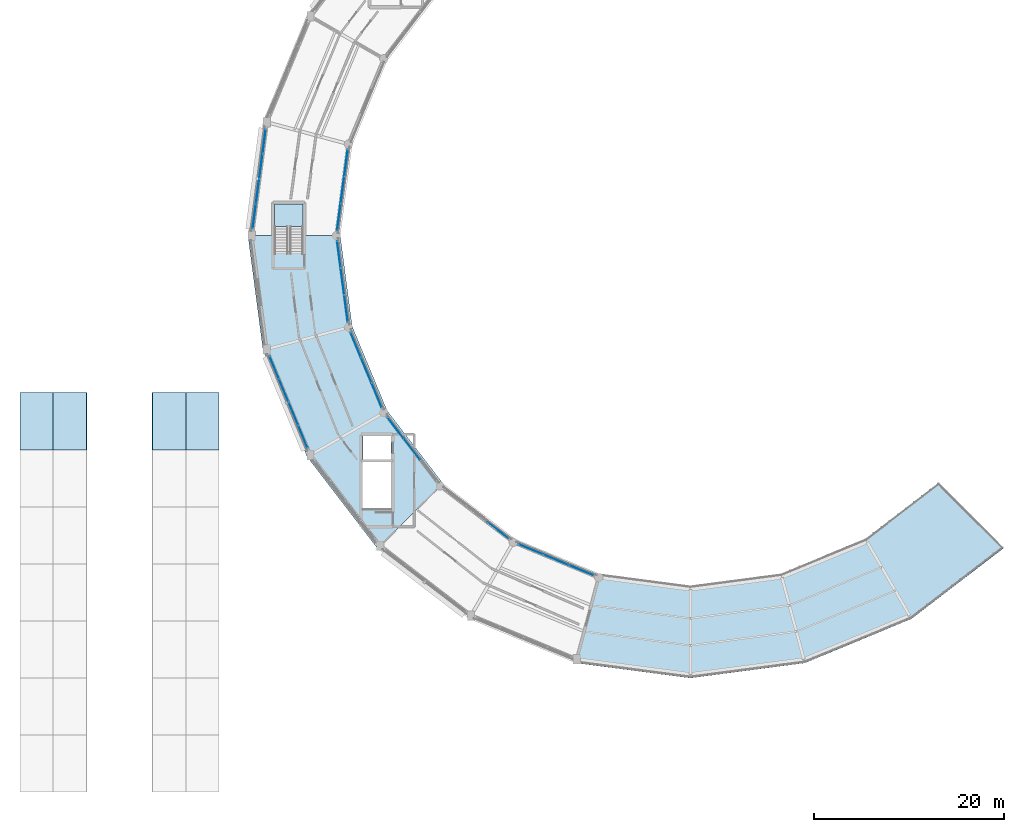
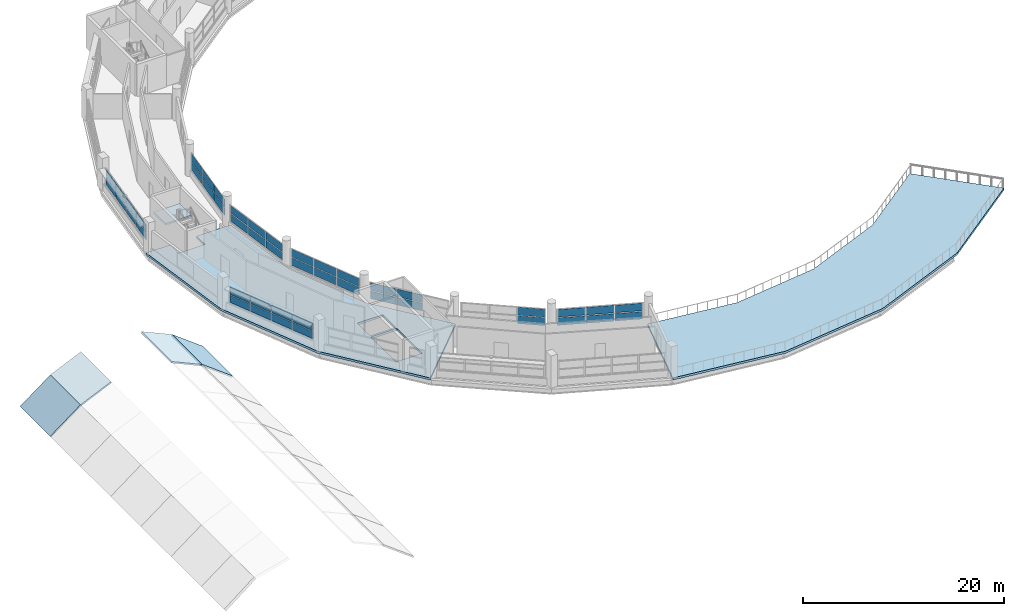
"""IFC4 building model written with IfcOpenShell, lengths in metres."""

import ifcopenshell
import ifcopenshell.guid

model = None  # the IFC model being written
_history = None  # IfcOwnerHistory: only IFC2X3 demands one
_inside = {}  # id of a spatial element -> (the spatial element, [elements in it])
_under = {}  # id of a project, library or spatial element -> (it, [spatial elements below it])
_declared = {}  # id of a project -> (the project, [libraries it declares])
_typed = {}  # id of a type object -> (the type object, [elements of that type])
_made_of = {}  # id of a material, layer set ... -> (it, [elements and type objects made of it])


def new_model(schema):
    """Start an empty IFC model of exactly this schema.

    Asked for "IFC4X3", IfcOpenShell would pick the latest addendum, in which some entities
    have other attributes; the version numbers below select the first issue.
    IFC2X3 requires an IfcOwnerHistory on every rooted entity: one is made here for all.
    """
    global model, _history
    if schema == "IFC4X3":
        model = ifcopenshell.file(schema_version=(4, 3, 0, 0))
    else:
        model = ifcopenshell.file(schema=schema)
    _inside.clear()
    _under.clear()
    _declared.clear()
    _typed.clear()
    _made_of.clear()
    _history = None
    if model.schema == "IFC2X3":
        org = make("IfcOrganization", Name="unknown")
        user = make(
            "IfcPersonAndOrganization",
            ThePerson=make("IfcPerson", FamilyName="unknown"),
            TheOrganization=org,
        )
        app = make(
            "IfcApplication",
            ApplicationDeveloper=org,
            Version="unknown",
            ApplicationFullName="unknown",
            ApplicationIdentifier="unknown",
        )
        _history = make(
            "IfcOwnerHistory",
            OwningUser=user,
            OwningApplication=app,
            ChangeAction="ADDED",
            CreationDate=0,
        )
    return model


def make(cls, **values):
    """One entity of the class cls with the attributes given. An attribute that is None is left unset."""
    return model.create_entity(
        cls, **{name: value for name, value in values.items() if value is not None}
    )


def rooted(cls, **values):
    """An entity with a GlobalId (a new one), such as an element, a storey or a relation."""
    return make(cls, GlobalId=ifcopenshell.guid.new(), OwnerHistory=_history, **values)


def si_unit(unit_type, name, prefix=None):
    """IfcSIUnit, for example si_unit("LENGTHUNIT", "METRE", prefix="MILLI")."""
    return make("IfcSIUnit", UnitType=unit_type, Prefix=prefix, Name=name)


def assignment(units):
    """IfcUnitAssignment: the units of a project."""
    return None if units is None else make("IfcUnitAssignment", Units=units)


def point(xyz):
    """IfcCartesianPoint."""
    return None if xyz is None else make("IfcCartesianPoint", Coordinates=xyz)


def direction(xyz):
    """IfcDirection."""
    return None if xyz is None else make("IfcDirection", DirectionRatios=xyz)


def frame(location, z_axis=None, x_axis=None):
    """IfcAxis2Placement3D, a coordinate frame: its origin and axes. An axis left out is left unset."""
    return make(
        "IfcAxis2Placement3D",
        Location=point(location),
        Axis=direction(z_axis),
        RefDirection=direction(x_axis),
    )


def frame_2d(location, x_axis=None):
    """IfcAxis2Placement2D, a coordinate frame in the plane: its origin and x axis."""
    return make(
        "IfcAxis2Placement2D", Location=point(location), RefDirection=direction(x_axis)
    )


def origin():
    """The frame at (0, 0, 0) with its axes left unset."""
    return frame((0.0, 0.0, 0.0))


def origin_2d():
    """The frame at (0, 0) in the plane with its x axis left unset."""
    return frame_2d((0.0, 0.0))


def place(relative_to, where):
    """IfcLocalPlacement: puts the frame where relative to a parent placement (None: the world)."""
    return make(
        "IfcLocalPlacement", PlacementRelTo=relative_to, RelativePlacement=where
    )


def context(
    kind, dimensions, precision=None, world=None, true_north=None, identifier=None
):
    """IfcGeometricRepresentationContext, for example the 3D "Model" context."""
    return make(
        "IfcGeometricRepresentationContext",
        ContextIdentifier=identifier,
        ContextType=kind,
        CoordinateSpaceDimension=dimensions,
        Precision=precision,
        WorldCoordinateSystem=world,
        TrueNorth=true_north,
    )


def subcontext(parent, identifier, kind, view, scale=None):
    """IfcGeometricRepresentationSubContext, for example "Body" below "Model"."""
    return make(
        "IfcGeometricRepresentationSubContext",
        ContextIdentifier=identifier,
        ContextType=kind,
        ParentContext=parent,
        TargetScale=scale,
        TargetView=view,
    )


def project(units=None, contexts=None):
    """IfcProject with its units and contexts."""
    return rooted(
        "IfcProject",
        Name="project",
        RepresentationContexts=contexts,
        UnitsInContext=assignment(units),
    )


def spatial(cls, under=None, at=None, **own):
    """A site, building, storey or space (cls), placed at a placement, below another one or the project."""
    s = rooted(cls, ObjectPlacement=at, **own)
    if under is not None:
        _under.setdefault(under.id(), (under, []))[1].append(s)
    return s


def polyline(points):
    """IfcPolyline through the points."""
    return make("IfcPolyline", Points=[point(p) for p in points])


def profile(cls, at=None, kind="AREA", **sizes):
    """A parametric profile (cls). Its sizes go by their IFC names, for example OverallWidth=200.0."""
    return make(cls, ProfileType=kind, Position=at, **sizes)


def rectangle(**sizes):
    """IfcRectangleProfileDef."""
    return profile("IfcRectangleProfileDef", **sizes)


def outline(outer, holes=None, kind="AREA"):
    """IfcArbitraryClosedProfileDef: a profile drawn as a closed curve; with holes, ...WithVoids."""
    if holes is None:
        return make("IfcArbitraryClosedProfileDef", ProfileType=kind, OuterCurve=outer)
    return make(
        "IfcArbitraryProfileDefWithVoids",
        ProfileType=kind,
        OuterCurve=outer,
        InnerCurves=holes,
    )


def extrude(swept, where, along, depth):
    """IfcExtrudedAreaSolid: the profile swept, set in the frame where, extruded along a direction by depth."""
    return make(
        "IfcExtrudedAreaSolid",
        SweptArea=swept,
        Position=where,
        ExtrudedDirection=direction(along),
        Depth=depth,
    )


def shape(context_of_items, identifier, shape_type, items):
    """IfcShapeRepresentation: the items that make up one representation, for example the "Body"."""
    return make(
        "IfcShapeRepresentation",
        ContextOfItems=context_of_items,
        RepresentationIdentifier=identifier,
        RepresentationType=shape_type,
        Items=items,
    )


def material(Name=None, Category=None):
    """IfcMaterial."""
    return make("IfcMaterial", Name=Name, Category=Category)


def layer(
    of_material, thickness, ventilated=None, Name=None, Category=None, Priority=None
):
    """IfcMaterialLayer: one layer of a wall or slab, of a material (None: an air gap)."""
    return make(
        "IfcMaterialLayer",
        Material=of_material,
        LayerThickness=thickness,
        IsVentilated=ventilated,
        Name=Name,
        Category=Category,
        Priority=Priority,
    )


def layer_set(layers, Name=None):
    """IfcMaterialLayerSet."""
    return make("IfcMaterialLayerSet", MaterialLayers=layers, LayerSetName=Name)


def made_of(thing, what):
    """Note that an element or type object is made of a material, layer set ...; save() writes the relation."""
    if what is not None:
        _made_of.setdefault(what.id(), (what, []))[1].append(thing)
    return thing


def type_object(cls, material=None, **own):
    """A type object (cls), such as IfcWallType, which elements share."""
    return made_of(rooted(cls, **own), material)


def element(
    cls,
    number,
    at=None,
    inside=None,
    cuts=None,
    type_object=None,
    material=None,
    context=None,
    identifier="Body",
    shape_type=None,
    held_by="IfcProductDefinitionShape",
    body=None,
    shapes=None,
    **own,
):
    """One element of the class cls, such as IfcWall. Its Tag is "e" and its number.

    at: its placement. inside: the storey or other place that contains it. cuts: it is an
    opening in that element (IfcRelVoidsElement). A single representation is given by context,
    identifier, shape_type and body (its items); several are given by shapes. held_by: the class
    of the entity that holds the representations. save() writes the other relations.
    """
    e = rooted(cls, Tag="e%d" % number, ObjectPlacement=at, **own)
    if body is not None:
        shapes = [shape(context, identifier, shape_type, body)]
    if shapes is not None:
        e.Representation = make(held_by, Representations=shapes)
    if inside is not None:
        _inside.setdefault(inside.id(), (inside, []))[1].append(e)
    if cuts is not None:
        rooted(
            "IfcRelVoidsElement", RelatingBuildingElement=cuts, RelatedOpeningElement=e
        )
    if type_object is not None:
        _typed.setdefault(type_object.id(), (type_object, []))[1].append(e)
    return made_of(e, material)


def aggregate(whole, parts):
    """IfcRelAggregates: a whole, such as a stair, and the parts it consists of."""
    return rooted("IfcRelAggregates", RelatingObject=whole, RelatedObjects=parts)


def save(model, path):
    """Write the relations noted so far, then the file.

    IfcRelAggregates (storeys below a building ...), IfcRelContainedInSpatialStructure (elements
    in a storey), IfcRelDefinesByType, IfcRelAssociatesMaterial and IfcRelDeclares: one each for
    every whole, place, type object, material and project.
    """
    for whole, parts in _under.values():
        aggregate(whole, parts)
    for where, things in _inside.values():
        rooted(
            "IfcRelContainedInSpatialStructure",
            RelatedElements=things,
            RelatingStructure=where,
        )
    for kind, things in _typed.values():
        rooted("IfcRelDefinesByType", RelatedObjects=things, RelatingType=kind)
    for what, things in _made_of.values():
        rooted("IfcRelAssociatesMaterial", RelatedObjects=things, RelatingMaterial=what)
    for by, libraries in _declared.values():
        rooted("IfcRelDeclares", RelatingContext=by, RelatedDefinitions=libraries)
    model.write(path)


model = new_model("IFC4")

# Units and contexts
model_context = context("Model", 3, precision=1e-05, world=origin(), true_north=direction((0.0, 1.0)))
body_context = subcontext(model_context, "Body", "Model", "MODEL_VIEW")
ifc_project = project(units=[si_unit("LENGTHUNIT", "METRE"), si_unit("AREAUNIT", "SQUARE_METRE"), si_unit("VOLUMEUNIT", "CUBIC_METRE"), si_unit("PLANEANGLEUNIT", "RADIAN"), si_unit("MASSUNIT", "GRAM", prefix="KILO")], contexts=[model_context])

# Site, building, storey
site_placement = place(None, origin())
site = spatial("IfcSite", under=ifc_project, at=site_placement, CompositionType="ELEMENT")
building_placement = place(site_placement, origin())
building = spatial("IfcBuilding", under=site, at=building_placement, Name="Vespera Passage Community Centre", CompositionType="ELEMENT")
storey_1_placement = place(building_placement, frame((0.0, 0.0, 20.39990234375)))
storey_1 = spatial("IfcBuildingStorey", under=building, at=storey_1_placement, Name="L05", CompositionType="ELEMENT", Elevation=20.39990234375)

# Curtain wall, plates
ifc_material_1 = material(Name="Anodized aluminium 6063-T6", Category="aluminium")
ifc_layer_1 = layer(ifc_material_1, 0.159912109375)
ifc_layer_set_1 = layer_set([ifc_layer_1], Name="Anodized aluminium 6063-T6")
curtain_wall_type_1 = type_object("IfcCurtainWallType", Name="CW-64E", PredefinedType="NOTDEFINED", material=ifc_layer_set_1)
curtain_wall_1_placement = place(storey_1_placement, origin())
curtain_wall_1 = element("IfcCurtainWall", 1, at=curtain_wall_1_placement, inside=storey_1, type_object=curtain_wall_type_1, Name="V4 L05 Inner Court Curtain Wall 12", PredefinedType="NOTDEFINED")
ifc_material_2 = material(Name="Low-E insulated vision glass", Category="glass")
ifc_layer_2 = layer(ifc_material_2, 0.02001953125)
ifc_layer_set_2 = layer_set([ifc_layer_2], Name="Low-E insulated vision glass")
plate_type_1 = type_object("IfcPlateType", Name="PL-CWP-20E", PredefinedType="CURTAIN_PANEL", material=ifc_layer_set_2)
plate_1_placement = place(storey_1_placement, frame((41.058837890625, 63.53466796875, 0.919921875), z_axis=(0.0, 0.0, 1.0), x_axis=(0.1305221941, -0.991445387728, 0.0)))
plate_1 = element("IfcPlate", 2, at=plate_1_placement, type_object=plate_type_1, Name="CW-64E panel 1.1", PredefinedType="CURTAIN_PANEL", context=body_context, shape_type="SweptSolid", body=[
    extrude(rectangle(XDim=2.779541015625, YDim=0.02001953125, at=origin_2d()), origin(), (0.0, 0.0, 1.0), 0.894775390625),
])
plate_2_placement = place(storey_1_placement, frame((41.058837890625, 63.53466796875, 1.91455078125), z_axis=(0.0, 0.0, 1.0), x_axis=(0.1305221941, -0.991445387728, 0.0)))
plate_2 = element("IfcPlate", 3, at=plate_2_placement, type_object=plate_type_1, Name="CW-64E panel 1.2", PredefinedType="CURTAIN_PANEL", context=body_context, shape_type="SweptSolid", body=[
    extrude(rectangle(XDim=2.779541015625, YDim=0.02001953125, at=origin_2d()), origin(), (0.0, 0.0, 1.0), 0.894775390625),
])
plate_3_placement = place(storey_1_placement, frame((41.433837890625, 60.68603515625, 0.919921875), z_axis=(0.0, 0.0, 1.0), x_axis=(0.1305221941, -0.991445387728, 0.0)))
plate_3 = element("IfcPlate", 4, at=plate_3_placement, type_object=plate_type_1, Name="CW-64E panel 2.1", PredefinedType="CURTAIN_PANEL", context=body_context, shape_type="SweptSolid", body=[
    extrude(rectangle(XDim=2.81689453125, YDim=0.02001953125, at=origin_2d()), origin(), (0.0, 0.0, 1.0), 0.894775390625),
])
plate_4_placement = place(storey_1_placement, frame((41.433837890625, 60.68603515625, 1.91455078125), z_axis=(0.0, 0.0, 1.0), x_axis=(0.1305221941, -0.991445387728, 0.0)))
plate_4 = element("IfcPlate", 5, at=plate_4_placement, type_object=plate_type_1, Name="CW-64E panel 2.2", PredefinedType="CURTAIN_PANEL", context=body_context, shape_type="SweptSolid", body=[
    extrude(rectangle(XDim=2.81689453125, YDim=0.02001953125, at=origin_2d()), origin(), (0.0, 0.0, 1.0), 0.894775390625),
])
plate_5_placement = place(storey_1_placement, frame((41.808837890625, 57.83740234375, 0.919921875), z_axis=(0.0, 0.0, 1.0), x_axis=(0.1305221941, -0.991445387728, 0.0)))
plate_5 = element("IfcPlate", 6, at=plate_5_placement, type_object=plate_type_1, Name="CW-64E panel 3.1", PredefinedType="CURTAIN_PANEL", context=body_context, shape_type="SweptSolid", body=[
    extrude(rectangle(XDim=2.779541015625, YDim=0.02001953125, at=origin_2d()), origin(), (0.0, 0.0, 1.0), 0.894775390625),
])
plate_6_placement = place(storey_1_placement, frame((41.808837890625, 57.83740234375, 1.91455078125), z_axis=(0.0, 0.0, 1.0), x_axis=(0.1305221941, -0.991445387728, 0.0)))
plate_6 = element("IfcPlate", 7, at=plate_6_placement, type_object=plate_type_1, Name="CW-64E panel 3.2", PredefinedType="CURTAIN_PANEL", context=body_context, shape_type="SweptSolid", body=[
    extrude(rectangle(XDim=2.779541015625, YDim=0.02001953125, at=origin_2d()), origin(), (0.0, 0.0, 1.0), 0.894775390625),
])
aggregate(curtain_wall_1, [plate_1, plate_2, plate_3, plate_4, plate_5, plate_6])

ifc_material_3 = material(Name="Anodized aluminium 6063-T6", Category="aluminium")
ifc_layer_3 = layer(ifc_material_3, 0.159912109375)
ifc_layer_set_3 = layer_set([ifc_layer_3], Name="Anodized aluminium 6063-T6")
curtain_wall_type_2 = type_object("IfcCurtainWallType", Name="CW-70E", PredefinedType="NOTDEFINED", material=ifc_layer_set_3)
curtain_wall_2_placement = place(storey_1_placement, origin())
curtain_wall_2 = element("IfcCurtainWall", 8, at=curtain_wall_2_placement, inside=storey_1, type_object=curtain_wall_type_2, Name="V4 L05 Inner Court Curtain Wall 15", PredefinedType="NOTDEFINED")
plate_7_placement = place(storey_1_placement, frame((57.787353515625, 34.521240234375, 0.880126953125), z_axis=(0.0, 0.0, 1.0), x_axis=(0.793358205999, -0.608755087843, 0.0)))
plate_7 = element("IfcPlate", 9, at=plate_7_placement, type_object=plate_type_1, Name="CW-70E panel 3.1", PredefinedType="CURTAIN_PANEL", context=body_context, shape_type="SweptSolid", body=[
    extrude(rectangle(XDim=2.72900390625, YDim=0.02001953125, at=origin_2d()), origin(), (0.0, 0.0, 1.0), 0.974609375),
])
plate_8_placement = place(storey_1_placement, frame((57.787353515625, 34.521240234375, 1.91455078125), z_axis=(0.0, 0.0, 1.0), x_axis=(0.793358205999, -0.608755087843, 0.0)))
plate_8 = element("IfcPlate", 10, at=plate_8_placement, type_object=plate_type_1, Name="CW-70E panel 3.2", PredefinedType="CURTAIN_PANEL", context=body_context, shape_type="SweptSolid", body=[
    extrude(rectangle(XDim=2.72900390625, YDim=0.02001953125, at=origin_2d()), origin(), (0.0, 0.0, 1.0), 0.974853515625),
])
aggregate(curtain_wall_2, [plate_7, plate_8])

ifc_material_4 = material(Name="Anodized aluminium 6063-T6", Category="aluminium")
ifc_layer_4 = layer(ifc_material_4, 0.159912109375)
ifc_layer_set_4 = layer_set([ifc_layer_4], Name="Anodized aluminium 6063-T6")
curtain_wall_type_3 = type_object("IfcCurtainWallType", Name="CW-76E", PredefinedType="NOTDEFINED", material=ifc_layer_set_4)
curtain_wall_3_placement = place(storey_1_placement, origin())
curtain_wall_3 = element("IfcCurtainWall", 11, at=curtain_wall_3_placement, inside=storey_1, type_object=curtain_wall_type_3, Name="V4 L05 Outer Ribbon Curtain Wall 13", PredefinedType="NOTDEFINED")
ifc_material_5 = material(Name="Low-E insulated vision glass", Category="glass")
ifc_layer_5 = layer(ifc_material_5, 0.028076171875)
ifc_layer_set_5 = layer_set([ifc_layer_5], Name="Low-E insulated vision glass")
plate_type_2 = type_object("IfcPlateType", Name="PL-CWP-28E", PredefinedType="CURTAIN_PANEL", material=ifc_layer_set_5)
plate_9_placement = place(storey_1_placement, frame((37.2763671875, 44.381103515625, 0.919921875), z_axis=(0.0, 0.0, 1.0), x_axis=(-0.382679142535, 0.923881309405, 0.0)))
plate_9 = element("IfcPlate", 12, at=plate_9_placement, type_object=plate_type_2, Name="CW-76E panel 1.1", PredefinedType="CURTAIN_PANEL", context=body_context, shape_type="SweptSolid", body=[
    extrude(rectangle(XDim=2.51806640625, YDim=0.028076171875, at=origin_2d()), origin(), (0.0, 0.0, 1.0), 0.872802734375),
])
plate_10_placement = place(storey_1_placement, frame((37.2763671875, 44.381103515625, 1.89306640625), z_axis=(0.0, 0.0, 1.0), x_axis=(-0.382679142535, 0.923881309405, 0.0)))
plate_10 = element("IfcPlate", 13, at=plate_10_placement, type_object=plate_type_2, Name="CW-76E panel 1.2", PredefinedType="CURTAIN_PANEL", context=body_context, shape_type="SweptSolid", body=[
    extrude(rectangle(XDim=2.51806640625, YDim=0.028076171875, at=origin_2d()), origin(), (0.0, 0.0, 1.0), 0.872802734375),
])
plate_11_placement = place(storey_1_placement, frame((36.27685546875, 46.7939453125, 0.919921875), z_axis=(0.0, 0.0, 1.0), x_axis=(-0.382679142535, 0.923881309405, 0.0)))
plate_11 = element("IfcPlate", 14, at=plate_11_placement, type_object=plate_type_2, Name="CW-76E panel 2.1", PredefinedType="CURTAIN_PANEL", context=body_context, shape_type="SweptSolid", body=[
    extrude(rectangle(XDim=2.555419921875, YDim=0.028076171875, at=origin_2d()), origin(), (0.0, 0.0, 1.0), 0.872802734375),
])
plate_12_placement = place(storey_1_placement, frame((36.27685546875, 46.7939453125, 1.89306640625), z_axis=(0.0, 0.0, 1.0), x_axis=(-0.382679142535, 0.923881309405, 0.0)))
plate_12 = element("IfcPlate", 15, at=plate_12_placement, type_object=plate_type_2, Name="CW-76E panel 2.2", PredefinedType="CURTAIN_PANEL", context=body_context, shape_type="SweptSolid", body=[
    extrude(rectangle(XDim=2.555419921875, YDim=0.028076171875, at=origin_2d()), origin(), (0.0, 0.0, 1.0), 0.872802734375),
])
plate_13_placement = place(storey_1_placement, frame((35.270263671875, 49.224365234375, 0.919921875), z_axis=(0.0, 0.0, 1.0), x_axis=(-0.382679142535, 0.923881309405, 0.0)))
plate_13 = element("IfcPlate", 16, at=plate_13_placement, type_object=plate_type_2, Name="CW-76E panel 3.1", PredefinedType="CURTAIN_PANEL", context=body_context, shape_type="SweptSolid", body=[
    extrude(rectangle(XDim=2.555419921875, YDim=0.028076171875, at=origin_2d()), origin(), (0.0, 0.0, 1.0), 0.872802734375),
])
plate_14_placement = place(storey_1_placement, frame((35.270263671875, 49.224365234375, 1.89306640625), z_axis=(0.0, 0.0, 1.0), x_axis=(-0.382679142535, 0.923881309405, 0.0)))
plate_14 = element("IfcPlate", 17, at=plate_14_placement, type_object=plate_type_2, Name="CW-76E panel 3.2", PredefinedType="CURTAIN_PANEL", context=body_context, shape_type="SweptSolid", body=[
    extrude(rectangle(XDim=2.555419921875, YDim=0.028076171875, at=origin_2d()), origin(), (0.0, 0.0, 1.0), 0.872802734375),
])
plate_15_placement = place(storey_1_placement, frame((34.270751953125, 51.63720703125, 0.919921875), z_axis=(0.0, 0.0, 1.0), x_axis=(-0.382679142535, 0.923881309405, 0.0)))
plate_15 = element("IfcPlate", 18, at=plate_15_placement, type_object=plate_type_2, Name="CW-76E panel 4.1", PredefinedType="CURTAIN_PANEL", context=body_context, shape_type="SweptSolid", body=[
    extrude(rectangle(XDim=2.51806640625, YDim=0.028076171875, at=origin_2d()), origin(), (0.0, 0.0, 1.0), 0.872802734375),
])
plate_16_placement = place(storey_1_placement, frame((34.270751953125, 51.63720703125, 1.89306640625), z_axis=(0.0, 0.0, 1.0), x_axis=(-0.382679142535, 0.923881309405, 0.0)))
plate_16 = element("IfcPlate", 19, at=plate_16_placement, type_object=plate_type_2, Name="CW-76E panel 4.2", PredefinedType="CURTAIN_PANEL", context=body_context, shape_type="SweptSolid", body=[
    extrude(rectangle(XDim=2.51806640625, YDim=0.028076171875, at=origin_2d()), origin(), (0.0, 0.0, 1.0), 0.872802734375),
])
aggregate(curtain_wall_3, [plate_9, plate_10, plate_11, plate_12, plate_13, plate_14, plate_15, plate_16])

ifc_material_6 = material(Name="Anodized aluminium 6063-T6", Category="aluminium")
ifc_layer_6 = layer(ifc_material_6, 0.159912109375)
ifc_layer_set_6 = layer_set([ifc_layer_6], Name="Anodized aluminium 6063-T6")
curtain_wall_type_4 = type_object("IfcCurtainWallType", Name="CW-72E", PredefinedType="NOTDEFINED", material=ifc_layer_set_6)
curtain_wall_4_placement = place(storey_1_placement, origin())
curtain_wall_4 = element("IfcCurtainWall", 20, at=curtain_wall_4_placement, inside=storey_1, type_object=curtain_wall_type_4, Name="V4 L05 Inner Court Curtain Wall 13", PredefinedType="NOTDEFINED")
plate_17_placement = place(storey_1_placement, frame((42.831787109375, 54.02685546875, 0.880126953125), z_axis=(0.0, 0.0, 1.0), x_axis=(0.382690463482, -0.923876620096, 0.0)))
plate_17 = element("IfcPlate", 21, at=plate_17_placement, type_object=plate_type_2, Name="CW-72E panel 1.1", PredefinedType="CURTAIN_PANEL", context=body_context, shape_type="SweptSolid", body=[
    extrude(rectangle(XDim=2.7646484375, YDim=0.028076171875, at=origin_2d()), origin(), (0.0, 0.0, 1.0), 0.974609375),
])
plate_18_placement = place(storey_1_placement, frame((42.831787109375, 54.02685546875, 1.91455078125), z_axis=(0.0, 0.0, 1.0), x_axis=(0.382690463482, -0.923876620096, 0.0)))
plate_18 = element("IfcPlate", 22, at=plate_18_placement, type_object=plate_type_2, Name="CW-72E panel 1.2", PredefinedType="CURTAIN_PANEL", context=body_context, shape_type="SweptSolid", body=[
    extrude(rectangle(XDim=2.7646484375, YDim=0.028076171875, at=origin_2d()), origin(), (0.0, 0.0, 1.0), 0.974853515625),
])
plate_19_placement = place(storey_1_placement, frame((43.92578125, 51.385986328125, 0.880126953125), z_axis=(0.0, 0.0, 1.0), x_axis=(0.382690463482, -0.923876620096, 0.0)))
plate_19 = element("IfcPlate", 23, at=plate_19_placement, type_object=plate_type_2, Name="CW-72E panel 2.1", PredefinedType="CURTAIN_PANEL", context=body_context, shape_type="SweptSolid", body=[
    extrude(rectangle(XDim=2.80224609375, YDim=0.028076171875, at=origin_2d()), origin(), (0.0, 0.0, 1.0), 0.974609375),
])
plate_20_placement = place(storey_1_placement, frame((43.92578125, 51.385986328125, 1.91455078125), z_axis=(0.0, 0.0, 1.0), x_axis=(0.382690463482, -0.923876620096, 0.0)))
plate_20 = element("IfcPlate", 24, at=plate_20_placement, type_object=plate_type_2, Name="CW-72E panel 2.2", PredefinedType="CURTAIN_PANEL", context=body_context, shape_type="SweptSolid", body=[
    extrude(rectangle(XDim=2.80224609375, YDim=0.028076171875, at=origin_2d()), origin(), (0.0, 0.0, 1.0), 0.974853515625),
])
plate_21_placement = place(storey_1_placement, frame((45.019775390625, 48.7451171875, 0.880126953125), z_axis=(0.0, 0.0, 1.0), x_axis=(0.382690463482, -0.923876620096, 0.0)))
plate_21 = element("IfcPlate", 25, at=plate_21_placement, type_object=plate_type_2, Name="CW-72E panel 3.1", PredefinedType="CURTAIN_PANEL", context=body_context, shape_type="SweptSolid", body=[
    extrude(rectangle(XDim=2.7646484375, YDim=0.028076171875, at=origin_2d()), origin(), (0.0, 0.0, 1.0), 0.974609375),
])
plate_22_placement = place(storey_1_placement, frame((45.019775390625, 48.7451171875, 1.91455078125), z_axis=(0.0, 0.0, 1.0), x_axis=(0.382690463482, -0.923876620096, 0.0)))
plate_22 = element("IfcPlate", 26, at=plate_22_placement, type_object=plate_type_2, Name="CW-72E panel 3.2", PredefinedType="CURTAIN_PANEL", context=body_context, shape_type="SweptSolid", body=[
    extrude(rectangle(XDim=2.7646484375, YDim=0.028076171875, at=origin_2d()), origin(), (0.0, 0.0, 1.0), 0.974853515625),
])
aggregate(curtain_wall_4, [plate_17, plate_18, plate_19, plate_20, plate_21, plate_22])

curtain_wall_5_placement = place(storey_1_placement, origin())
curtain_wall_5 = element("IfcCurtainWall", 27, at=curtain_wall_5_placement, inside=storey_1, type_object=curtain_wall_type_4, Name="V4 L05 Inner Court Curtain Wall 16", PredefinedType="NOTDEFINED")
plate_23_placement = place(storey_1_placement, frame((61.2451171875, 32.519775390625, 0.919921875), z_axis=(0.0, 0.0, 1.0), x_axis=(0.923876620096, -0.382690463482, 0.0)))
plate_23 = element("IfcPlate", 28, at=plate_23_placement, type_object=plate_type_2, Name="CW-72E panel 1.1", PredefinedType="CURTAIN_PANEL", context=body_context, shape_type="SweptSolid", body=[
    extrude(rectangle(XDim=2.7646484375, YDim=0.028076171875, at=origin_2d()), origin(), (0.0, 0.0, 1.0), 0.914794921875),
])
plate_24_placement = place(storey_1_placement, frame((61.2451171875, 32.519775390625, 1.9345703125), z_axis=(0.0, 0.0, 1.0), x_axis=(0.923876620096, -0.382690463482, 0.0)))
plate_24 = element("IfcPlate", 29, at=plate_24_placement, type_object=plate_type_2, Name="CW-72E panel 1.2", PredefinedType="CURTAIN_PANEL", context=body_context, shape_type="SweptSolid", body=[
    extrude(rectangle(XDim=2.7646484375, YDim=0.028076171875, at=origin_2d()), origin(), (0.0, 0.0, 1.0), 0.914794921875),
])
plate_25_placement = place(storey_1_placement, frame((63.885986328125, 31.42578125, 0.919921875), z_axis=(0.0, 0.0, 1.0), x_axis=(0.923876620096, -0.382690463482, 0.0)))
plate_25 = element("IfcPlate", 30, at=plate_25_placement, type_object=plate_type_2, Name="CW-72E panel 2.1", PredefinedType="CURTAIN_PANEL", context=body_context, shape_type="SweptSolid", body=[
    extrude(rectangle(XDim=2.80224609375, YDim=0.028076171875, at=origin_2d()), origin(), (0.0, 0.0, 1.0), 0.914794921875),
])
plate_26_placement = place(storey_1_placement, frame((63.885986328125, 31.42578125, 1.9345703125), z_axis=(0.0, 0.0, 1.0), x_axis=(0.923876620096, -0.382690463482, 0.0)))
plate_26 = element("IfcPlate", 31, at=plate_26_placement, type_object=plate_type_2, Name="CW-72E panel 2.2", PredefinedType="CURTAIN_PANEL", context=body_context, shape_type="SweptSolid", body=[
    extrude(rectangle(XDim=2.80224609375, YDim=0.028076171875, at=origin_2d()), origin(), (0.0, 0.0, 1.0), 0.914794921875),
])
plate_27_placement = place(storey_1_placement, frame((66.52685546875, 30.331787109375, 0.919921875), z_axis=(0.0, 0.0, 1.0), x_axis=(0.923876620096, -0.382690463482, 0.0)))
plate_27 = element("IfcPlate", 32, at=plate_27_placement, type_object=plate_type_2, Name="CW-72E panel 3.1", PredefinedType="CURTAIN_PANEL", context=body_context, shape_type="SweptSolid", body=[
    extrude(rectangle(XDim=2.7646484375, YDim=0.028076171875, at=origin_2d()), origin(), (0.0, 0.0, 1.0), 0.914794921875),
])
plate_28_placement = place(storey_1_placement, frame((66.52685546875, 30.331787109375, 1.9345703125), z_axis=(0.0, 0.0, 1.0), x_axis=(0.923876620096, -0.382690463482, 0.0)))
plate_28 = element("IfcPlate", 33, at=plate_28_placement, type_object=plate_type_2, Name="CW-72E panel 3.2", PredefinedType="CURTAIN_PANEL", context=body_context, shape_type="SweptSolid", body=[
    extrude(rectangle(XDim=2.7646484375, YDim=0.028076171875, at=origin_2d()), origin(), (0.0, 0.0, 1.0), 0.914794921875),
])
aggregate(curtain_wall_5, [plate_23, plate_24, plate_25, plate_26, plate_27, plate_28])

ifc_material_7 = material(Name="Anodized aluminium 6063-T6", Category="aluminium")
ifc_layer_7 = layer(ifc_material_7, 0.159912109375)
ifc_layer_set_7 = layer_set([ifc_layer_7], Name="Anodized aluminium 6063-T6")
curtain_wall_type_5 = type_object("IfcCurtainWallType", Name="CW-63E", PredefinedType="NOTDEFINED", material=ifc_layer_set_7)
curtain_wall_6_placement = place(storey_1_placement, origin())
curtain_wall_6 = element("IfcCurtainWall", 34, at=curtain_wall_6_placement, inside=storey_1, type_object=curtain_wall_type_5, Name="V4 L05 Outer Ribbon Curtain Wall 11", PredefinedType="NOTDEFINED")
ifc_material_8 = material(Name="Acoustic triple-glazed vision glass", Category="glass")
ifc_layer_8 = layer(ifc_material_8, 0.035888671875)
ifc_layer_set_8 = layer_set([ifc_layer_8], Name="Acoustic triple-glazed vision glass")
plate_type_3 = type_object("IfcPlateType", Name="PL-CWP-36E", PredefinedType="CURTAIN_PANEL", material=ifc_layer_set_8)
plate_29_placement = place(storey_1_placement, frame((32.169189453125, 67.544921875, 0.919921875), z_axis=(0.0, 0.0, 1.0), x_axis=(0.130522869458, 0.991445298818, 0.0)))
plate_29 = element("IfcPlate", 35, at=plate_29_placement, type_object=plate_type_3, Name="CW-63E panel 1.1", PredefinedType="CURTAIN_PANEL", context=body_context, shape_type="SweptSolid", body=[
    extrude(rectangle(XDim=2.536376953125, YDim=0.035888671875, at=origin_2d()), origin(), (0.0, 0.0, 1.0), 0.852783203125),
])
plate_30_placement = place(storey_1_placement, frame((32.169189453125, 67.544921875, 1.873046875), z_axis=(0.0, 0.0, 1.0), x_axis=(0.130522869458, 0.991445298818, 0.0)))
plate_30 = element("IfcPlate", 36, at=plate_30_placement, type_object=plate_type_3, Name="CW-63E panel 1.2", PredefinedType="CURTAIN_PANEL", context=body_context, shape_type="SweptSolid", body=[
    extrude(rectangle(XDim=2.536376953125, YDim=0.035888671875, at=origin_2d()), origin(), (0.0, 0.0, 1.0), 0.852783203125),
])
plate_31_placement = place(storey_1_placement, frame((32.512451171875, 70.152587890625, 0.919921875), z_axis=(0.0, 0.0, 1.0), x_axis=(0.130522869458, 0.991445298818, 0.0)))
plate_31 = element("IfcPlate", 37, at=plate_31_placement, type_object=plate_type_3, Name="CW-63E panel 2.1", PredefinedType="CURTAIN_PANEL", context=body_context, shape_type="SweptSolid", body=[
    extrude(rectangle(XDim=2.573974609375, YDim=0.035888671875, at=origin_2d()), origin(), (0.0, 0.0, 1.0), 0.852783203125),
])
plate_32_placement = place(storey_1_placement, frame((32.512451171875, 70.152587890625, 1.873046875), z_axis=(0.0, 0.0, 1.0), x_axis=(0.130522869458, 0.991445298818, 0.0)))
plate_32 = element("IfcPlate", 38, at=plate_32_placement, type_object=plate_type_3, Name="CW-63E panel 2.2", PredefinedType="CURTAIN_PANEL", context=body_context, shape_type="SweptSolid", body=[
    extrude(rectangle(XDim=2.573974609375, YDim=0.035888671875, at=origin_2d()), origin(), (0.0, 0.0, 1.0), 0.852783203125),
])
plate_33_placement = place(storey_1_placement, frame((32.858154296875, 72.779052734375, 0.919921875), z_axis=(0.0, 0.0, 1.0), x_axis=(0.130522869458, 0.991445298818, 0.0)))
plate_33 = element("IfcPlate", 39, at=plate_33_placement, type_object=plate_type_3, Name="CW-63E panel 3.1", PredefinedType="CURTAIN_PANEL", context=body_context, shape_type="SweptSolid", body=[
    extrude(rectangle(XDim=2.573974609375, YDim=0.035888671875, at=origin_2d()), origin(), (0.0, 0.0, 1.0), 0.852783203125),
])
plate_34_placement = place(storey_1_placement, frame((32.858154296875, 72.779052734375, 1.873046875), z_axis=(0.0, 0.0, 1.0), x_axis=(0.130522869458, 0.991445298818, 0.0)))
plate_34 = element("IfcPlate", 40, at=plate_34_placement, type_object=plate_type_3, Name="CW-63E panel 3.2", PredefinedType="CURTAIN_PANEL", context=body_context, shape_type="SweptSolid", body=[
    extrude(rectangle(XDim=2.573974609375, YDim=0.035888671875, at=origin_2d()), origin(), (0.0, 0.0, 1.0), 0.852783203125),
])
plate_35_placement = place(storey_1_placement, frame((33.20166015625, 75.38671875, 0.919921875), z_axis=(0.0, 0.0, 1.0), x_axis=(0.130522869458, 0.991445298818, 0.0)))
plate_35 = element("IfcPlate", 41, at=plate_35_placement, type_object=plate_type_3, Name="CW-63E panel 4.1", PredefinedType="CURTAIN_PANEL", context=body_context, shape_type="SweptSolid", body=[
    extrude(rectangle(XDim=2.536376953125, YDim=0.035888671875, at=origin_2d()), origin(), (0.0, 0.0, 1.0), 0.852783203125),
])
plate_36_placement = place(storey_1_placement, frame((33.20166015625, 75.38671875, 1.873046875), z_axis=(0.0, 0.0, 1.0), x_axis=(0.130522869458, 0.991445298818, 0.0)))
plate_36 = element("IfcPlate", 42, at=plate_36_placement, type_object=plate_type_3, Name="CW-63E panel 4.2", PredefinedType="CURTAIN_PANEL", context=body_context, shape_type="SweptSolid", body=[
    extrude(rectangle(XDim=2.536376953125, YDim=0.035888671875, at=origin_2d()), origin(), (0.0, 0.0, 1.0), 0.852783203125),
])
aggregate(curtain_wall_6, [plate_29, plate_30, plate_31, plate_32, plate_33, plate_34, plate_35, plate_36])

ifc_material_9 = material(Name="Anodized aluminium 6063-T6", Category="aluminium")
ifc_layer_9 = layer(ifc_material_9, 0.159912109375)
ifc_layer_set_9 = layer_set([ifc_layer_9], Name="Anodized aluminium 6063-T6")
curtain_wall_type_6 = type_object("IfcCurtainWallType", Name="CW-58E", PredefinedType="NOTDEFINED", material=ifc_layer_set_9)
curtain_wall_7_placement = place(storey_1_placement, origin())
curtain_wall_7 = element("IfcCurtainWall", 43, at=curtain_wall_7_placement, inside=storey_1, type_object=curtain_wall_type_6, Name="V4 L05 Inner Court Curtain Wall 11", PredefinedType="NOTDEFINED")
plate_37_placement = place(storey_1_placement, frame((41.80908203125, 73.165283203125, 0.880126953125), z_axis=(0.0, 0.0, 1.0), x_axis=(-0.1305221941, -0.991445387728, 0.0)))
plate_37 = element("IfcPlate", 44, at=plate_37_placement, type_object=plate_type_3, Name="CW-58E panel 1.1", PredefinedType="CURTAIN_PANEL", context=body_context, shape_type="SweptSolid", body=[
    extrude(rectangle(XDim=2.79443359375, YDim=0.035888671875, at=origin_2d()), origin(), (0.0, 0.0, 1.0), 0.95458984375),
])
plate_38_placement = place(storey_1_placement, frame((41.80908203125, 73.165283203125, 1.894775390625), z_axis=(0.0, 0.0, 1.0), x_axis=(-0.1305221941, -0.991445387728, 0.0)))
plate_38 = element("IfcPlate", 45, at=plate_38_placement, type_object=plate_type_3, Name="CW-58E panel 1.2", PredefinedType="CURTAIN_PANEL", context=body_context, shape_type="SweptSolid", body=[
    extrude(rectangle(XDim=2.79443359375, YDim=0.035888671875, at=origin_2d()), origin(), (0.0, 0.0, 1.0), 0.95458984375),
])
plate_39_placement = place(storey_1_placement, frame((41.433837890625, 70.31396484375, 0.880126953125), z_axis=(0.0, 0.0, 1.0), x_axis=(-0.1305221941, -0.991445387728, 0.0)))
plate_39 = element("IfcPlate", 46, at=plate_39_placement, type_object=plate_type_3, Name="CW-58E panel 2.1", PredefinedType="CURTAIN_PANEL", context=body_context, shape_type="SweptSolid", body=[
    extrude(rectangle(XDim=2.826904296875, YDim=0.035888671875, at=origin_2d()), origin(), (0.0, 0.0, 1.0), 0.95458984375),
])
plate_40_placement = place(storey_1_placement, frame((41.433837890625, 70.31396484375, 1.894775390625), z_axis=(0.0, 0.0, 1.0), x_axis=(-0.1305221941, -0.991445387728, 0.0)))
plate_40 = element("IfcPlate", 47, at=plate_40_placement, type_object=plate_type_3, Name="CW-58E panel 2.2", PredefinedType="CURTAIN_PANEL", context=body_context, shape_type="SweptSolid", body=[
    extrude(rectangle(XDim=2.826904296875, YDim=0.035888671875, at=origin_2d()), origin(), (0.0, 0.0, 1.0), 0.95458984375),
])
plate_41_placement = place(storey_1_placement, frame((41.058349609375, 67.462890625, 0.880126953125), z_axis=(0.0, 0.0, 1.0), x_axis=(-0.1305221941, -0.991445387728, 0.0)))
plate_41 = element("IfcPlate", 48, at=plate_41_placement, type_object=plate_type_3, Name="CW-58E panel 3.1", PredefinedType="CURTAIN_PANEL", context=body_context, shape_type="SweptSolid", body=[
    extrude(rectangle(XDim=2.79443359375, YDim=0.035888671875, at=origin_2d()), origin(), (0.0, 0.0, 1.0), 0.95458984375),
])
plate_42_placement = place(storey_1_placement, frame((41.058349609375, 67.462890625, 1.894775390625), z_axis=(0.0, 0.0, 1.0), x_axis=(-0.1305221941, -0.991445387728, 0.0)))
plate_42 = element("IfcPlate", 49, at=plate_42_placement, type_object=plate_type_3, Name="CW-58E panel 3.2", PredefinedType="CURTAIN_PANEL", context=body_context, shape_type="SweptSolid", body=[
    extrude(rectangle(XDim=2.79443359375, YDim=0.035888671875, at=origin_2d()), origin(), (0.0, 0.0, 1.0), 0.95458984375),
])
aggregate(curtain_wall_7, [plate_37, plate_38, plate_39, plate_40, plate_41, plate_42])

ifc_material_10 = material(Name="Anodized aluminium 6063-T6", Category="aluminium")
ifc_layer_10 = layer(ifc_material_10, 0.159912109375)
ifc_layer_set_10 = layer_set([ifc_layer_10], Name="Anodized aluminium 6063-T6")
curtain_wall_type_7 = type_object("IfcCurtainWallType", Name="CW-78E", PredefinedType="NOTDEFINED", material=ifc_layer_set_10)
curtain_wall_8_placement = place(storey_1_placement, origin())
curtain_wall_8 = element("IfcCurtainWall", 50, at=curtain_wall_8_placement, inside=storey_1, type_object=curtain_wall_type_7, Name="V4 L05 Inner Court Curtain Wall 14", PredefinedType="NOTDEFINED")
plate_43_placement = place(storey_1_placement, frame((47.019775390625, 45.289306640625, 0.919921875), z_axis=(0.0, 0.0, 1.0), x_axis=(0.608755087843, -0.793358205999, 0.0)))
plate_43 = element("IfcPlate", 51, at=plate_43_placement, type_object=plate_type_3, Name="CW-78E panel 1.1", PredefinedType="CURTAIN_PANEL", context=body_context, shape_type="SweptSolid", body=[
    extrude(rectangle(XDim=2.744140625, YDim=0.035888671875, at=origin_2d()), origin(), (0.0, 0.0, 1.0), 0.914794921875),
])
plate_44_placement = place(storey_1_placement, frame((47.019775390625, 45.289306640625, 1.9345703125), z_axis=(0.0, 0.0, 1.0), x_axis=(0.608755087843, -0.793358205999, 0.0)))
plate_44 = element("IfcPlate", 52, at=plate_44_placement, type_object=plate_type_3, Name="CW-78E panel 1.2", PredefinedType="CURTAIN_PANEL", context=body_context, shape_type="SweptSolid", body=[
    extrude(rectangle(XDim=2.744140625, YDim=0.035888671875, at=origin_2d()), origin(), (0.0, 0.0, 1.0), 0.914794921875),
])
plate_45_placement = place(storey_1_placement, frame((48.73974609375, 43.0478515625, 0.919921875), z_axis=(0.0, 0.0, 1.0), x_axis=(0.608755087843, -0.793358205999, 0.0)))
plate_45 = element("IfcPlate", 53, at=plate_45_placement, type_object=plate_type_3, Name="CW-78E panel 2.1", PredefinedType="CURTAIN_PANEL", context=body_context, shape_type="SweptSolid", body=[
    extrude(rectangle(XDim=2.776611328125, YDim=0.035888671875, at=origin_2d()), origin(), (0.0, 0.0, 1.0), 0.914794921875),
])
plate_46_placement = place(storey_1_placement, frame((48.73974609375, 43.0478515625, 1.9345703125), z_axis=(0.0, 0.0, 1.0), x_axis=(0.608755087843, -0.793358205999, 0.0)))
plate_46 = element("IfcPlate", 54, at=plate_46_placement, type_object=plate_type_3, Name="CW-78E panel 2.2", PredefinedType="CURTAIN_PANEL", context=body_context, shape_type="SweptSolid", body=[
    extrude(rectangle(XDim=2.776611328125, YDim=0.035888671875, at=origin_2d()), origin(), (0.0, 0.0, 1.0), 0.914794921875),
])
aggregate(curtain_wall_8, [plate_43, plate_44, plate_45, plate_46])

# Stair, slab
ifc_material_11 = material(Name="Concrete f'c 35 MPa", Category="concrete")
stair_type = type_object("IfcStairType", Name="ST-T06", PredefinedType="HALF_TURN_STAIR", material=ifc_material_11)
stair_placement = place(storey_1_placement, origin())
stair = element("IfcStair", 55, at=stair_placement, inside=storey_1, type_object=stair_type, Name="L05 Core C2 Exit Stair ST04", PredefinedType="HALF_TURN_STAIR")
ifc_material_12 = material(Name="Concrete f'c 35 MPa", Category="concrete")
ifc_layer_11 = layer(ifc_material_12, 0.199951171875)
ifc_layer_set_11 = layer_set([ifc_layer_11], Name="Concrete f'c 35 MPa")
slab_type_1 = type_object("IfcSlabType", Name="SL-LAND-200I", PredefinedType="LANDING", material=ifc_layer_set_11)
slab_1_placement = place(storey_1_placement, frame((0.0, 0.0, 1.75)))
slab_1 = element("IfcSlab", 56, at=slab_1_placement, type_object=slab_type_1, Name="ST04 landing 1", PredefinedType="LANDING", context=body_context, shape_type="SweptSolid", body=[
    extrude(outline(polyline([(37.300048828125, 66.47509765625), (37.300048828125, 68.824951171875), (34.300048828125, 68.824951171875), (34.300048828125, 66.47509765625), (37.300048828125, 66.47509765625)])), origin(), (0.0, 0.0, 1.0), 0.2001953125),
])
aggregate(stair, [slab_1])

# Slabs
ifc_material_13 = material(Name="Concrete f'c 35 MPa", Category="concrete")
ifc_layer_12 = layer(ifc_material_13, 0.260009765625)
ifc_layer_set_12 = layer_set([ifc_layer_12], Name="Concrete f'c 35 MPa")
slab_type_2 = type_object("IfcSlabType", Name="SL-TERR-260E", PredefinedType="FLOOR", material=ifc_layer_set_12)
slab_2_placement = place(storey_1_placement, frame((0.0, 0.0, -0.260009765625)))
element("IfcSlab", 57, at=slab_2_placement, inside=storey_1, type_object=slab_type_2, Name="V4 L05 South Sky Terrace Slab", PredefinedType="FLOOR", context=body_context, shape_type="SweptSolid", body=[
    extrude(outline(polyline([(65.96484375, 20.58447265625), (78.0, 19.0), (90.03515625, 20.58447265625), (101.25, 25.229736328125), (110.880615234375, 32.619384765625), (104.021484375, 39.478515625), (96.39990234375, 33.63037109375), (87.5244140625, 29.953857421875), (78.0, 28.699951171875), (68.4755859375, 29.953857421875), (65.96484375, 20.58447265625)])), origin(), (0.0, 0.0, 1.0), 0.260009765625),
])
ifc_material_14 = material(Name="Concrete f'c 35 MPa", Category="concrete")
ifc_layer_13 = layer(ifc_material_14, 0.260009765625)
ifc_layer_set_13 = layer_set([ifc_layer_13], Name="Concrete f'c 35 MPa")
slab_type_3 = type_object("IfcSlabType", Name="SL-UPPER-260", PredefinedType="FLOOR", material=ifc_layer_set_13)
slab_3_placement = place(storey_1_placement, frame((0.0, 0.0, -0.260009765625)))
element("IfcSlab", 58, at=slab_3_placement, inside=storey_1, type_object=slab_type_3, Name="V4 L05 Interior Sector 4 Slab", PredefinedType="FLOOR", context=body_context, shape_type="SweptSolid", body=[
    extrude(outline(polyline([(46.13037109375, 47.10009765625), (51.978515625, 39.478515625), (45.119384765625, 32.619384765625), (37.729736328125, 42.25), (33.08447265625, 53.46484375), (31.5, 65.5), (34.300048828125, 65.5), (34.300048828125, 63.85498046875), (37.300048828125, 63.85498046875), (37.300048828125, 65.5), (41.199951171875, 65.5), (42.453857421875, 55.9755859375), (46.13037109375, 47.10009765625)]), holes=[polyline([(43.56103515625, 41.719970703125), (43.56103515625, 36.75), (46.56103515625, 36.75), (46.56103515625, 41.719970703125), (43.56103515625, 41.719970703125)]), polyline([(46.510986328125, 44.4599609375), (43.611083984375, 44.4599609375), (43.611083984375, 41.9599609375), (46.510986328125, 41.9599609375), (46.510986328125, 44.4599609375)])]), origin(), (0.0, 0.0, 1.0), 0.260009765625),
])

# Storey
storey_2_placement = place(building_placement, frame((0.0, 0.0, 16.5)))
storey_2 = spatial("IfcBuildingStorey", under=building, at=storey_2_placement, Name="L04", CompositionType="ELEMENT", Elevation=16.5)

# Roof, slabs
ifc_material_15 = material(Name="Concrete f'c 45 MPa", Category="concrete")
roof_type = type_object("IfcRoofType", Name="RF-VAULT-V1", PredefinedType="BARREL_ROOF", material=ifc_material_15)
roof_placement = place(storey_2_placement, origin())
roof = element("IfcRoof", 59, at=roof_placement, inside=storey_2, type_object=roof_type, Name="Main Hall Barrel-Vaulted Roof V1", PredefinedType="BARREL_ROOF")
ifc_material_16 = material(Name="Concrete f'c 45 MPa", Category="concrete")
ifc_layer_14 = layer(ifc_material_16, 0.179931640625)
ifc_layer_set_14 = layer_set([ifc_layer_14], Name="Concrete f'c 45 MPa")
slab_type_4 = type_object("IfcSlabType", Name="SL-VAULT-180E", PredefinedType="ROOF", material=ifc_layer_set_14)
slab_4_placement = place(storey_1_placement, frame((7.53759765625, 43.0, -0.224853515625), z_axis=(-0.601395182325, 0.0, 0.798951709852), x_axis=(0.798951709852, 0.0, 0.601395182325)))
slab_4 = element("IfcSlab", 60, at=slab_4_placement, inside=storey_1, type_object=slab_type_4, Name="Main Hall Barrel Vault Panel B7.2", PredefinedType="ROOF", context=body_context, shape_type="SweptSolid", body=[
    extrude(outline(polyline([(0.0, 0.0), (4.36485039645799, 0.0), (4.36485039645799, 6.0), (0.0, 6.0), (0.0, 0.0)])), origin(), (0.0, 0.0, -1.0), 0.179931640625),
])
slab_5_placement = place(storey_1_placement, frame((11.02490234375, 43.0, 2.400146484375), z_axis=(-0.411571337672, 0.0, 0.911377547456), x_axis=(0.911377547456, 0.0, 0.411571337672)))
slab_5 = element("IfcSlab", 61, at=slab_5_placement, inside=storey_1, type_object=slab_type_4, Name="Main Hall Barrel Vault Panel B7.3", PredefinedType="ROOF", context=body_context, shape_type="SweptSolid", body=[
    extrude(outline(polyline([(0.0, 0.0), (3.8266784581862243, 0.0), (3.8266784581862243, 6.0), (0.0, 6.0), (0.0, 0.0)])), origin(), (0.0, 0.0, -1.0), 0.179931640625),
])
slab_6_placement = place(storey_1_placement, frame((21.487548828125, 43.0, 3.97509765625), z_axis=(0.411571337672, 0.0, 0.911377547456), x_axis=(0.911377547456, 0.0, -0.411571337672)))
slab_6 = element("IfcSlab", 62, at=slab_6_placement, inside=storey_1, type_object=slab_type_4, Name="Main Hall Barrel Vault Panel B7.6", PredefinedType="ROOF", context=body_context, shape_type="SweptSolid", body=[
    extrude(outline(polyline([(0.0, 0.0), (3.8266784581862243, 0.0), (3.8266784581862243, 6.0), (0.0, 6.0), (0.0, 0.0)])), origin(), (0.0, 0.0, -1.0), 0.179931640625),
])
slab_7_placement = place(storey_1_placement, frame((24.97509765625, 43.0, 2.400146484375), z_axis=(0.601395182325, 0.0, 0.798951709852), x_axis=(0.798951709852, 0.0, -0.601395182325)))
slab_7 = element("IfcSlab", 63, at=slab_7_placement, inside=storey_1, type_object=slab_type_4, Name="Main Hall Barrel Vault Panel B7.7", PredefinedType="ROOF", context=body_context, shape_type="SweptSolid", body=[
    extrude(outline(polyline([(0.0, 0.0), (4.36485039645799, 0.0), (4.36485039645799, 6.0), (0.0, 6.0), (0.0, 0.0)])), origin(), (0.0, 0.0, -1.0), 0.179931640625),
])
aggregate(roof, [slab_4, slab_5, slab_6, slab_7])

save(model, "model.ifc")
